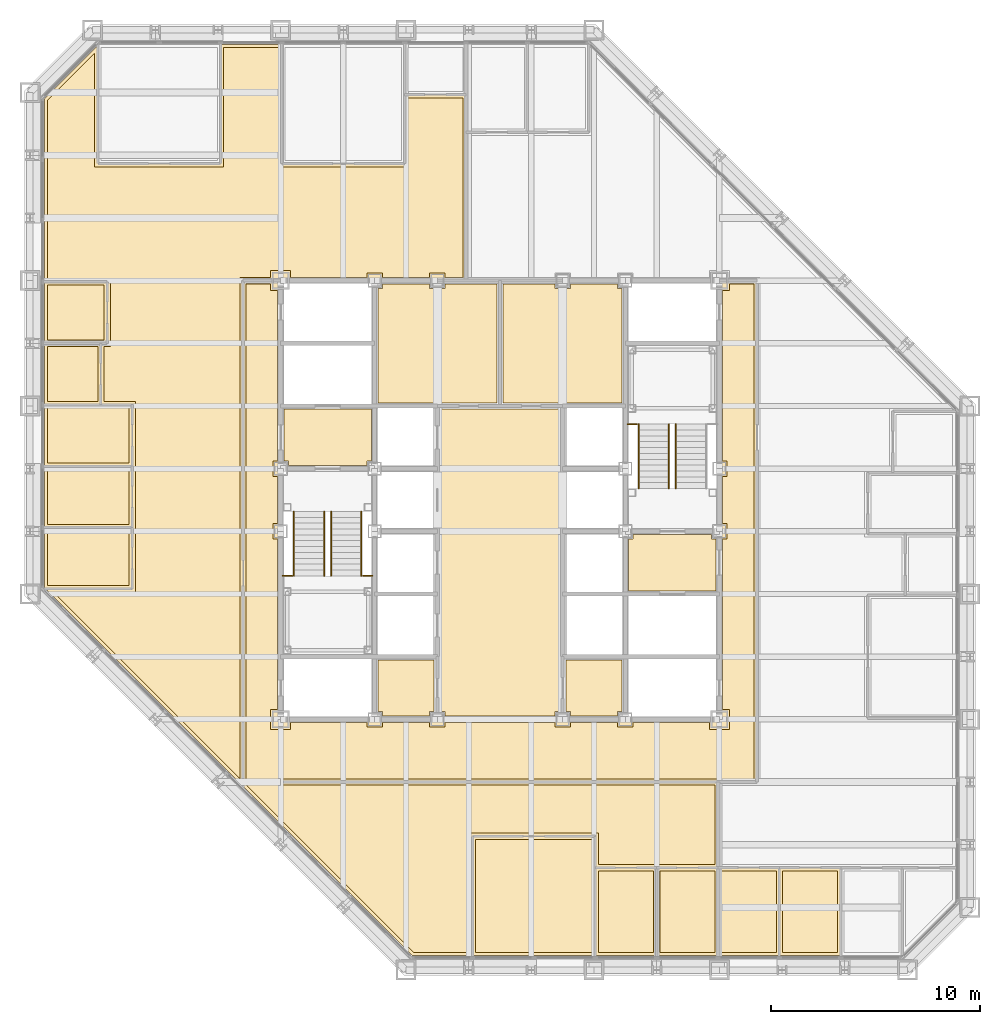
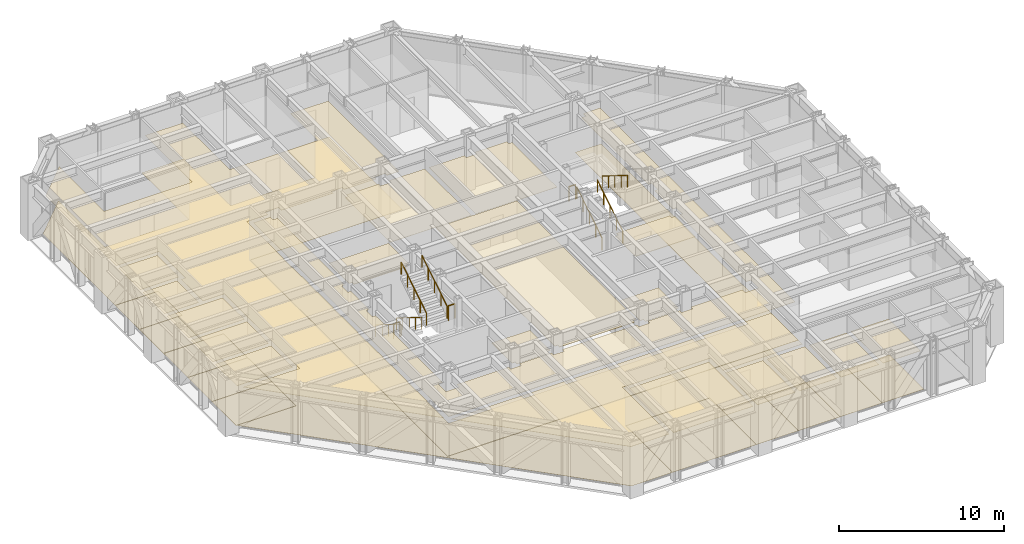
# One storey, part 14 of 16: 32 coverings, 10 railings.
"""IFC4 building model written with IfcOpenShell, lengths in metres."""

from ifc_helpers import new_model, si_unit, direction, frame, origin, origin_2d, place, context, subcontext, project, spatial, polyline, circle, outline, extrude, material, layer, layer_set, type_object, element, save


model = new_model("IFC4")

# Units and contexts
model_context = context("Model", 3, precision=1e-05, world=origin(), true_north=direction((0.0, 1.0)))
body_context = subcontext(model_context, "Body", "Model", "MODEL_VIEW")
ifc_project = project(units=[si_unit("LENGTHUNIT", "METRE"), si_unit("AREAUNIT", "SQUARE_METRE"), si_unit("VOLUMEUNIT", "CUBIC_METRE"), si_unit("PLANEANGLEUNIT", "RADIAN"), si_unit("MASSUNIT", "GRAM", prefix="KILO")], contexts=[model_context])

# Site, building, storey
site_placement = place(None, origin())
site = spatial("IfcSite", under=ifc_project, at=site_placement, CompositionType="ELEMENT")
building_placement = place(site_placement, origin())
building = spatial("IfcBuilding", under=site, at=building_placement, Name="Chuquiago Exchange Tower", CompositionType="ELEMENT")
storey_placement = place(building_placement, frame((0.0, 0.0, 157.199951171875)))
storey = spatial("IfcBuildingStorey", under=building, at=storey_placement, Name="L34", CompositionType="ELEMENT", Elevation=157.199951171875)

# Coverings
ifc_material_1 = material(Name="Mineral fibre tile, 600 x 600, on pale metal grid", Category="mineral fibre")
ifc_layer_1 = layer(ifc_material_1, 0.02001953125)
ifc_layer_set_1 = layer_set([ifc_layer_1], Name="CL1 suspended tile ceiling 20")
covering_type_1 = type_object("IfcCoveringType", Name="CL1 suspended tile ceiling 20", PredefinedType="CEILING", material=ifc_layer_set_1)
covering_1_placement = place(storey_placement, frame((0.0, 0.0, 2.800048828125)))
element("IfcCovering", 1, at=covering_1_placement, inside=storey, type_object=covering_type_1, Name="Ceiling Investor relations office", PredefinedType="CEILING", context=body_context, shape_type="SweptSolid", body=[
    extrude(outline(polyline([(21.33642578125, 6.25), (26.912109375, 6.25), (26.912109375, 0.85009765625), (21.33642578125, 0.85009765625), (21.33642578125, 6.25)])), origin(), (0.0, 0.0, 1.0), 0.02001953125),
])
covering_2_placement = place(storey_placement, frame((0.0, 0.0, 2.800048828125)))
element("IfcCovering", 2, at=covering_2_placement, inside=storey, type_object=covering_type_1, Name="Ceiling Office", PredefinedType="CEILING", context=body_context, shape_type="SweptSolid", body=[
    extrude(outline(polyline([(27.212158203125, 4.75), (29.85009765625, 4.75), (29.85009765625, 0.85009765625), (27.212158203125, 0.85009765625), (27.212158203125, 4.75)])), origin(), (0.0, 0.0, 1.0), 0.02001953125),
])
covering_3_placement = place(storey_placement, frame((0.0, 0.0, 2.800048828125)))
element("IfcCovering", 3, at=covering_3_placement, inside=storey, type_object=covering_type_1, Name="Ceiling Office", PredefinedType="CEILING", context=body_context, shape_type="SweptSolid", body=[
    extrude(outline(polyline([(30.14990234375, 4.75), (32.787841796875, 4.75), (32.787841796875, 0.85009765625), (30.14990234375, 0.85009765625), (30.14990234375, 4.75)])), origin(), (0.0, 0.0, 1.0), 0.02001953125),
])
covering_4_placement = place(storey_placement, frame((0.0, 0.0, 2.800048828125)))
element("IfcCovering", 4, at=covering_4_placement, inside=storey, type_object=covering_type_1, Name="Ceiling Office", PredefinedType="CEILING", context=body_context, shape_type="SweptSolid", body=[
    extrude(outline(polyline([(33.087890625, 4.75), (35.7255859375, 4.75), (35.7255859375, 0.85009765625), (33.087890625, 0.85009765625), (33.087890625, 4.75)])), origin(), (0.0, 0.0, 1.0), 0.02001953125),
])
covering_5_placement = place(storey_placement, frame((0.0, 0.0, 2.800048828125)))
element("IfcCovering", 5, at=covering_5_placement, inside=storey, type_object=covering_type_1, Name="Ceiling Office", PredefinedType="CEILING", context=body_context, shape_type="SweptSolid", body=[
    extrude(outline(polyline([(36.025634765625, 4.75), (38.66357421875, 4.75), (38.66357421875, 0.85009765625), (36.025634765625, 0.85009765625), (36.025634765625, 4.75)])), origin(), (0.0, 0.0, 1.0), 0.02001953125),
])
covering_6_placement = place(storey_placement, frame((0.0, 0.0, 2.800048828125)))
element("IfcCovering", 6, at=covering_6_placement, inside=storey, type_object=covering_type_1, Name="Ceiling Office", PredefinedType="CEILING", context=body_context, shape_type="SweptSolid", body=[
    extrude(outline(polyline([(0.85009765625, 21.036376953125), (4.75, 21.036376953125), (4.75, 18.3984375), (0.85009765625, 18.3984375), (0.85009765625, 21.036376953125)])), origin(), (0.0, 0.0, 1.0), 0.02001953125),
])
covering_7_placement = place(storey_placement, frame((0.0, 0.0, 2.800048828125)))
element("IfcCovering", 7, at=covering_7_placement, inside=storey, type_object=covering_type_1, Name="Ceiling Office", PredefinedType="CEILING", context=body_context, shape_type="SweptSolid", body=[
    extrude(outline(polyline([(4.75, 23.974365234375), (4.75, 21.33642578125), (0.85009765625, 21.33642578125), (0.85009765625, 23.974365234375), (4.75, 23.974365234375)])), origin(), (0.0, 0.0, 1.0), 0.02001953125),
])
covering_8_placement = place(storey_placement, frame((0.0, 0.0, 2.800048828125)))
element("IfcCovering", 8, at=covering_8_placement, inside=storey, type_object=covering_type_1, Name="Ceiling Office", PredefinedType="CEILING", context=body_context, shape_type="SweptSolid", body=[
    extrude(outline(polyline([(4.75, 26.912109375), (4.75, 24.2744140625), (0.85009765625, 24.2744140625), (0.85009765625, 26.912109375), (4.75, 26.912109375)])), origin(), (0.0, 0.0, 1.0), 0.02001953125),
])
covering_9_placement = place(storey_placement, frame((0.0, 0.0, 2.800048828125)))
element("IfcCovering", 9, at=covering_9_placement, inside=storey, type_object=covering_type_1, Name="Ceiling Store", PredefinedType="CEILING", context=body_context, shape_type="SweptSolid", body=[
    extrude(outline(polyline([(3.25, 29.85009765625), (3.25, 27.212158203125), (0.85009765625, 27.212158203125), (0.85009765625, 29.85009765625), (3.25, 29.85009765625)])), origin(), (0.0, 0.0, 1.0), 0.02001953125),
])
covering_10_placement = place(storey_placement, frame((0.0, 0.0, 2.800048828125)))
element("IfcCovering", 10, at=covering_10_placement, inside=storey, type_object=covering_type_1, Name="Ceiling Pantry", PredefinedType="CEILING", context=body_context, shape_type="SweptSolid", body=[
    extrude(outline(polyline([(3.550048828125, 32.787841796875), (3.550048828125, 30.14990234375), (0.85009765625, 30.14990234375), (0.85009765625, 32.787841796875), (3.550048828125, 32.787841796875)])), origin(), (0.0, 0.0, 1.0), 0.02001953125),
])
covering_11_placement = place(storey_placement, frame((0.0, 0.0, 2.800048828125)))
element("IfcCovering", 11, at=covering_11_placement, inside=storey, type_object=covering_type_1, Name="Ceiling Open office west suite", PredefinedType="CEILING", context=body_context, shape_type="SweptSolid", body=[
    extrude(outline(polyline([(3.098388671875, 38.449951171875), (9.2744140625, 38.449951171875), (9.2744140625, 44.14990234375), (11.912109375, 44.14990234375), (11.912109375, 38.449951171875), (18.087890625, 38.449951171875), (18.087890625, 41.75), (20.72509765625, 41.75), (20.72509765625, 33.14990234375), (19.875, 33.14990234375), (19.875, 33.375), (19.125, 33.375), (19.125, 33.14990234375), (16.875, 33.14990234375), (16.875, 33.375), (16.125, 33.375), (16.125, 33.14990234375), (12.47509765625, 33.150146484375), (12.47509765625, 33.47509765625), (11.52490234375, 33.47509765625), (11.52490234375, 33.150146484375), (10.049560546875, 33.150146484375), (10.049560546875, 9.15234375), (1.103515625, 18.098388671875), (5.050048828125, 18.098388671875), (5.050048828125, 27.212158203125), (3.550048828125, 27.212158203125), (3.550048828125, 29.85009765625), (3.85009765625, 29.85009765625), (3.85009765625, 33.087890625), (0.85009765625, 33.087890625), (0.85009765625, 41.64794921875), (3.098388671875, 43.896484375), (3.098388671875, 38.449951171875)])), origin(), (0.0, 0.0, 1.0), 0.02001953125),
])
covering_12_placement = place(storey_placement, frame((0.0, 0.0, 2.800048828125)))
element("IfcCovering", 12, at=covering_12_placement, inside=storey, type_object=covering_type_1, Name="Ceiling Open office west suite", PredefinedType="CEILING", context=body_context, shape_type="SweptSolid", body=[
    extrude(outline(polyline([(32.787353515625, 8.849609375), (32.787353515625, 5.050048828125), (27.212158203125, 5.050048828125), (27.212158203125, 6.550048828125), (21.036376953125, 6.550048828125), (21.036376953125, 0.85009765625), (18.35205078125, 0.85009765625), (10.352294921875, 8.849609375), (32.787353515625, 8.849609375)])), origin(), (0.0, 0.0, 1.0), 0.02001953125),
])
covering_13_placement = place(storey_placement, frame((0.0, 0.0, 2.800048828125)))
element("IfcCovering", 13, at=covering_13_placement, inside=storey, type_object=covering_type_1, Name="Ceiling Tenant corridor", PredefinedType="CEILING", context=body_context, shape_type="SweptSolid", body=[
    extrude(outline(polyline([(16.125, 11.85009765625), (16.125, 11.625), (16.875, 11.625), (16.875, 11.85009765625), (19.125, 11.85009765625), (19.125, 11.625), (19.875, 11.625), (19.875, 11.85009765625), (25.125, 11.85009765625), (25.125, 11.625), (25.875, 11.625), (25.875, 11.85009765625), (28.125, 11.85009765625), (28.125, 11.625), (28.875, 11.625), (28.875, 11.85009765625), (32.52490234375, 11.85009765625), (32.52490234375, 11.52490234375), (33.47509765625, 11.52490234375), (33.47509765625, 12.47509765625), (33.14990234375, 12.47509765625), (33.14990234375, 20.625), (33.375, 20.625), (33.375, 21.375), (33.14990234375, 21.375), (33.14990234375, 23.625), (33.375, 23.625), (33.375, 24.375), (33.14990234375, 24.375), (33.14990234375, 32.52490234375), (33.47509765625, 32.52490234375), (33.47509765625, 32.85009765625), (34.64990234375, 32.85009765625), (34.64990234375, 9.14990234375), (10.35009765625, 9.14990234375), (10.35009765625, 32.85009765625), (11.52490234375, 32.85009765625), (11.52490234375, 32.52490234375), (11.85009765625, 32.52490234375), (11.85009765625, 24.375), (11.625, 24.375), (11.625, 23.625), (11.85009765625, 23.625), (11.85009765625, 21.375), (11.625, 21.375), (11.625, 20.625), (11.85009765625, 20.625), (11.85009765625, 12.47509765625), (11.52490234375, 12.47509765625), (11.52490234375, 11.52490234375), (12.47509765625, 11.52490234375), (12.47509765625, 11.85009765625), (16.125, 11.85009765625)])), origin(), (0.0, 0.0, 1.0), 0.02001953125),
])
ifc_material_2 = material(Name="Moisture resistant plasterboard on metal frame", Category="gypsum")
ifc_layer_2 = layer(ifc_material_2, 0.014892578125)
ifc_layer_set_2 = layer_set([ifc_layer_2], Name="CL2 moisture resistant ceiling 15")
covering_type_2 = type_object("IfcCoveringType", Name="CL2 moisture resistant ceiling 15", PredefinedType="CEILING", material=ifc_layer_set_2)
covering_14_placement = place(storey_placement, frame((0.0, 0.0, 2.60009765625)))
element("IfcCovering", 14, at=covering_14_placement, inside=storey, type_object=covering_type_2, Name="Ceiling Male WC", PredefinedType="CEILING", context=body_context, shape_type="SweptSolid", body=[
    extrude(outline(polyline([(16.64990234375, 27.14990234375), (16.64990234375, 32.625), (16.875, 32.625), (16.875, 32.85009765625), (19.125, 32.85009765625), (19.125, 32.625), (19.875, 32.625), (19.875, 32.85009765625), (22.35009765625, 32.85009765625), (22.35009765625, 27.14990234375), (16.64990234375, 27.14990234375)])), origin(), (0.0, 0.0, 1.0), 0.014892578125),
])
covering_15_placement = place(storey_placement, frame((0.0, 0.0, 2.60009765625)))
element("IfcCovering", 15, at=covering_15_placement, inside=storey, type_object=covering_type_2, Name="Ceiling Female WC", PredefinedType="CEILING", context=body_context, shape_type="SweptSolid", body=[
    extrude(outline(polyline([(22.64990234375, 27.14990234375), (22.64990234375, 32.85009765625), (25.125, 32.85009765625), (25.125, 32.625), (25.875, 32.625), (25.875, 32.85009765625), (28.125, 32.85009765625), (28.125, 32.625), (28.35009765625, 32.625), (28.35009765625, 27.14990234375), (22.64990234375, 27.14990234375)])), origin(), (0.0, 0.0, 1.0), 0.014892578125),
])
covering_16_placement = place(storey_placement, frame((0.0, 0.0, 2.60009765625)))
element("IfcCovering", 16, at=covering_16_placement, inside=storey, type_object=covering_type_2, Name="Ceiling Accessible WC", PredefinedType="CEILING", context=body_context, shape_type="SweptSolid", body=[
    extrude(outline(polyline([(25.875, 12.14990234375), (25.875, 12.375), (25.64990234375, 12.375), (25.64990234375, 14.85009765625), (28.35009765625, 14.85009765625), (28.35009765625, 12.375), (28.125, 12.375), (28.125, 12.14990234375), (25.875, 12.14990234375)])), origin(), (0.0, 0.0, 1.0), 0.014892578125),
])
covering_17_placement = place(storey_placement, frame((0.0, 0.0, 2.60009765625)))
element("IfcCovering", 17, at=covering_17_placement, inside=storey, type_object=covering_type_2, Name="Ceiling Cleaner", PredefinedType="CEILING", context=body_context, shape_type="SweptSolid", body=[
    extrude(outline(polyline([(16.875, 12.14990234375), (16.875, 12.375), (16.64990234375, 12.375), (16.64990234375, 14.85009765625), (19.35009765625, 14.85009765625), (19.35009765625, 12.375), (19.125, 12.375), (19.125, 12.14990234375), (16.875, 12.14990234375)])), origin(), (0.0, 0.0, 1.0), 0.014892578125),
])
ifc_material_3 = material(Name="Pale metal plank ceiling, perforated", Category="aluminium")
ifc_layer_3 = layer(ifc_material_3, 0.030029296875)
ifc_layer_set_3 = layer_set([ifc_layer_3], Name="CL3 metal plank ceiling 30")
covering_type_3 = type_object("IfcCoveringType", Name="CL3 metal plank ceiling 30", PredefinedType="CEILING", material=ifc_layer_set_3)
covering_18_placement = place(storey_placement, frame((0.0, 0.0, 2.800048828125)))
element("IfcCovering", 18, at=covering_18_placement, inside=storey, type_object=covering_type_3, Name="Ceiling Lift lobby", PredefinedType="CEILING", context=body_context, shape_type="SweptSolid", body=[
    extrude(outline(polyline([(19.875, 12.14990234375), (19.875, 12.375), (19.64990234375, 12.375), (19.64990234375, 26.85009765625), (25.35009765625, 26.85009765625), (25.35009765625, 12.375), (25.125, 12.375), (25.125, 12.14990234375), (19.875, 12.14990234375)])), origin(), (0.0, 0.0, 1.0), 0.030029296875),
])
covering_19_placement = place(storey_placement, frame((0.0, 0.0, 2.800048828125)))
element("IfcCovering", 19, at=covering_19_placement, inside=storey, type_object=covering_type_3, Name="Ceiling Firefighting lobby", PredefinedType="CEILING", context=body_context, shape_type="SweptSolid", body=[
    extrude(outline(polyline([(12.375, 24.14990234375), (12.375, 24.375), (12.14990234375, 24.375), (12.14990234375, 26.85009765625), (16.35009765625, 26.85009765625), (16.35009765625, 24.375), (16.125, 24.375), (16.125, 24.14990234375), (12.375, 24.14990234375)])), origin(), (0.0, 0.0, 1.0), 0.030029296875),
])
covering_20_placement = place(storey_placement, frame((0.0, 0.0, 2.800048828125)))
element("IfcCovering", 20, at=covering_20_placement, inside=storey, type_object=covering_type_3, Name="Ceiling Firefighting lobby", PredefinedType="CEILING", context=body_context, shape_type="SweptSolid", body=[
    extrude(outline(polyline([(28.64990234375, 18.14990234375), (28.64990234375, 20.625), (28.875, 20.625), (28.875, 20.85009765625), (32.625, 20.85009765625), (32.625, 20.625), (32.85009765625, 20.625), (32.85009765625, 18.14990234375), (28.64990234375, 18.14990234375)])), origin(), (0.0, 0.0, 1.0), 0.030029296875),
])
ifc_material_4 = material(Name="Carpet tile, 500 x 500, on the floor slab", Category="textile")
ifc_layer_4 = layer(ifc_material_4, 0.010009765625)
ifc_layer_set_4 = layer_set([ifc_layer_4], Name="FL1 carpet tile 10")
covering_type_4 = type_object("IfcCoveringType", Name="FL1 carpet tile 10", PredefinedType="FLOORING", material=ifc_layer_set_4)
covering_21_placement = place(storey_placement, origin())
element("IfcCovering", 21, at=covering_21_placement, inside=storey, type_object=covering_type_4, Name="Floor finish Investor relations office", PredefinedType="FLOORING", context=body_context, shape_type="SweptSolid", body=[
    extrude(outline(polyline([(21.186279296875, 0.699951171875), (21.186279296875, 6.39990234375), (27.06201171875, 6.39990234375), (27.06201171875, 0.699951171875), (21.186279296875, 0.699951171875)])), origin(), (0.0, 0.0, 1.0), 0.010009765625),
])
covering_22_placement = place(storey_placement, origin())
element("IfcCovering", 22, at=covering_22_placement, inside=storey, type_object=covering_type_4, Name="Floor finish Office", PredefinedType="FLOORING", context=body_context, shape_type="SweptSolid", body=[
    extrude(outline(polyline([(27.06201171875, 0.699951171875), (27.06201171875, 4.89990234375), (30.0, 4.89990234375), (30.0, 0.699951171875), (27.06201171875, 0.699951171875)])), origin(), (0.0, 0.0, 1.0), 0.010009765625),
])
covering_23_placement = place(storey_placement, origin())
element("IfcCovering", 23, at=covering_23_placement, inside=storey, type_object=covering_type_4, Name="Floor finish Office", PredefinedType="FLOORING", context=body_context, shape_type="SweptSolid", body=[
    extrude(outline(polyline([(30.0, 0.699951171875), (30.0, 4.89990234375), (32.93798828125, 4.89990234375), (32.93798828125, 0.699951171875), (30.0, 0.699951171875)])), origin(), (0.0, 0.0, 1.0), 0.010009765625),
])
covering_24_placement = place(storey_placement, origin())
element("IfcCovering", 24, at=covering_24_placement, inside=storey, type_object=covering_type_4, Name="Floor finish Office", PredefinedType="FLOORING", context=body_context, shape_type="SweptSolid", body=[
    extrude(outline(polyline([(32.93798828125, 0.699951171875), (32.93798828125, 4.89990234375), (35.875732421875, 4.89990234375), (35.875732421875, 0.699951171875), (32.93798828125, 0.699951171875)])), origin(), (0.0, 0.0, 1.0), 0.010009765625),
])
covering_25_placement = place(storey_placement, origin())
element("IfcCovering", 25, at=covering_25_placement, inside=storey, type_object=covering_type_4, Name="Floor finish Office", PredefinedType="FLOORING", context=body_context, shape_type="SweptSolid", body=[
    extrude(outline(polyline([(35.875732421875, 0.699951171875), (35.875732421875, 4.89990234375), (38.813720703125, 4.89990234375), (38.813720703125, 0.699951171875), (35.875732421875, 0.699951171875)])), origin(), (0.0, 0.0, 1.0), 0.010009765625),
])
covering_26_placement = place(storey_placement, origin())
element("IfcCovering", 26, at=covering_26_placement, inside=storey, type_object=covering_type_4, Name="Floor finish Office", PredefinedType="FLOORING", context=body_context, shape_type="SweptSolid", body=[
    extrude(outline(polyline([(0.699951171875, 21.186279296875), (4.89990234375, 21.186279296875), (4.89990234375, 18.24853515625), (0.741455078125, 18.24853515625), (0.699951171875, 18.289794921875), (0.699951171875, 21.186279296875)])), origin(), (0.0, 0.0, 1.0), 0.010009765625),
])
covering_27_placement = place(storey_placement, origin())
element("IfcCovering", 27, at=covering_27_placement, inside=storey, type_object=covering_type_4, Name="Floor finish Office", PredefinedType="FLOORING", context=body_context, shape_type="SweptSolid", body=[
    extrude(outline(polyline([(0.699951171875, 24.124267578125), (4.89990234375, 24.124267578125), (4.89990234375, 21.186279296875), (0.699951171875, 21.186279296875), (0.699951171875, 24.124267578125)])), origin(), (0.0, 0.0, 1.0), 0.010009765625),
])
covering_28_placement = place(storey_placement, origin())
element("IfcCovering", 28, at=covering_28_placement, inside=storey, type_object=covering_type_4, Name="Floor finish Office", PredefinedType="FLOORING", context=body_context, shape_type="SweptSolid", body=[
    extrude(outline(polyline([(0.699951171875, 27.06201171875), (4.89990234375, 27.06201171875), (4.89990234375, 24.124267578125), (0.699951171875, 24.124267578125), (0.699951171875, 27.06201171875)])), origin(), (0.0, 0.0, 1.0), 0.010009765625),
])
covering_29_placement = place(storey_placement, origin())
element("IfcCovering", 29, at=covering_29_placement, inside=storey, type_object=covering_type_4, Name="Floor finish Open office west suite", PredefinedType="FLOORING", context=body_context, shape_type="SweptSolid", body=[
    extrude(outline(polyline([(3.24853515625, 44.258544921875), (3.24853515625, 38.60009765625), (9.124267578125, 38.60009765625), (9.124267578125, 44.300048828125), (12.06201171875, 44.300048828125), (12.06201171875, 38.60009765625), (17.93798828125, 38.60009765625), (17.93798828125, 41.89990234375), (20.875244140625, 41.89990234375), (20.875244140625, 33.0), (10.199462890625, 33.0), (10.19970703125, 8.999755859375), (32.9375, 8.99951171875), (32.9375, 4.89990234375), (27.06201171875, 4.89990234375), (27.06201171875, 6.39990234375), (21.186279296875, 6.39990234375), (21.186279296875, 0.699951171875), (18.289794921875, 0.699951171875), (0.741455078125, 18.24853515625), (4.89990234375, 18.24853515625), (4.89990234375, 27.06201171875), (3.39990234375, 27.06201171875), (3.39990234375, 30.0), (3.699951171875, 30.0), (3.699951171875, 32.93798828125), (0.699951171875, 32.93798828125), (0.699951171875, 41.710205078125), (3.289794921875, 44.300048828125), (3.24853515625, 44.258544921875)])), origin(), (0.0, 0.0, 1.0), 0.010009765625),
])
ifc_material_5 = material(Name="Porcelain floor tile, 600 x 600, on adhesive bed", Category="ceramic")
ifc_layer_5 = layer(ifc_material_5, 0.014892578125)
ifc_layer_set_5 = layer_set([ifc_layer_5], Name="FL2 porcelain tile 15")
covering_type_5 = type_object("IfcCoveringType", Name="FL2 porcelain tile 15", PredefinedType="FLOORING", material=ifc_layer_set_5)
covering_30_placement = place(storey_placement, origin())
element("IfcCovering", 30, at=covering_30_placement, inside=storey, type_object=covering_type_5, Name="Floor finish Store", PredefinedType="FLOORING", context=body_context, shape_type="SweptSolid", body=[
    extrude(outline(polyline([(0.699951171875, 30.0), (3.39990234375, 30.0), (3.39990234375, 27.06201171875), (0.699951171875, 27.06201171875), (0.699951171875, 30.0)])), origin(), (0.0, 0.0, 1.0), 0.01513671875),
])
covering_31_placement = place(storey_placement, origin())
element("IfcCovering", 31, at=covering_31_placement, inside=storey, type_object=covering_type_5, Name="Floor finish Pantry", PredefinedType="FLOORING", context=body_context, shape_type="SweptSolid", body=[
    extrude(outline(polyline([(0.699951171875, 32.93798828125), (3.699951171875, 32.93798828125), (3.699951171875, 30.0), (0.699951171875, 30.0), (0.699951171875, 32.93798828125)])), origin(), (0.0, 0.0, 1.0), 0.01513671875),
])
covering_32_placement = place(storey_placement, origin())
element("IfcCovering", 32, at=covering_32_placement, inside=storey, type_object=covering_type_5, Name="Floor finish Tenant corridor", PredefinedType="FLOORING", context=body_context, shape_type="SweptSolid", body=[
    extrude(outline(polyline([(12.0, 12.0), (33.0, 12.0), (33.0, 33.0), (34.800048828125, 33.0), (34.800048828125, 9.0), (10.199951171875, 9.0), (10.199951171875, 33.0), (12.0, 33.0), (12.0, 12.0)])), origin(), (0.0, 0.0, 1.0), 0.01513671875),
])

# Railings
ifc_material_6 = material(Name="Pale metal guard with safety glass infill", Category="glass")
railing_type_1 = type_object("IfcRailingType", Name="GR1 guard 1100", PredefinedType="GUARDRAIL", material=ifc_material_6)
for number, where, name in (
    (33, (12.10009765625, 18.8701171875, 2.10009765625), "Guard ST1 L34 landing 2"),
    (34, (15.945068359375, 18.8701171875, 2.10009765625), "Guard ST1 L34 landing 2"),
    (35, (28.60009765625, 26.1298828125, 2.10009765625), "Guard ST2 L34 landing 2"),
):
    element("IfcRailing", number, at=place(storey_placement, frame(where)), inside=storey, type_object=railing_type_1, Name=name, PredefinedType="GUARDRAIL", context=body_context, shape_type="SweptSolid", body=[
        extrude(circle(Radius=0.02392578125, at=origin_2d()), frame((0.0, 0.0, 1.076171875), z_axis=(1.0, 0.0, 0.0), x_axis=(0.0, 1.0, 0.0)), (0.0, 0.0, 1.0), 0.454833984375),
        extrude(circle(Radius=0.02099609375, at=origin_2d()), origin(), (0.0, 0.0, 1.0), 1.052001953125),
        extrude(circle(Radius=0.02099609375, at=origin_2d()), frame((0.454833984375, 0.0, 0.0)), (0.0, 0.0, 1.0), 1.052001953125),
    ])
ifc_material_7 = material(Name="Pale metal handrail", Category="steel")
railing_type_2 = type_object("IfcRailingType", Name="HR1 handrail 900", PredefinedType="HANDRAIL", material=ifc_material_7)
for number, where, name in (
    (36, (12.635009765625, 21.949951171875, 0.175048828125), "Handrail ST1 L34 flight 1"),
    (37, (14.0849609375, 21.949951171875, 0.175048828125), "Handrail ST1 L34 flight 1"),
):
    element("IfcRailing", number, at=place(storey_placement, frame(where)), inside=storey, type_object=railing_type_2, Name=name, PredefinedType="HANDRAIL", context=body_context, shape_type="SweptSolid", body=[
        extrude(circle(Radius=0.02392578125, at=origin_2d()), frame((0.0, 0.0, 0.8759765625), z_axis=(0.0, -0.847979421464, 0.530029150871), x_axis=(1.0, 0.0, 0.0)), (0.0, 0.0, 1.0), 3.632080078125),
        extrude(circle(Radius=0.02099609375, at=origin_2d()), origin(), (0.0, 0.0, 1.0), 0.851806640625),
        extrude(circle(Radius=0.02099609375, at=origin_2d()), frame((0.0, -0.77001953125, 0.481201171875)), (0.0, 0.0, 1.0), 0.851806640625),
        extrude(circle(Radius=0.02099609375, at=origin_2d()), frame((0.0, -1.5400390625, 0.96240234375)), (0.0, 0.0, 1.0), 0.851806640625),
        extrude(circle(Radius=0.02099609375, at=origin_2d()), frame((0.0, -2.309814453125, 1.44384765625)), (0.0, 0.0, 1.0), 0.851806640625),
        extrude(circle(Radius=0.02099609375, at=origin_2d()), frame((0.0, -3.079833984375, 1.925048828125)), (0.0, 0.0, 1.0), 0.851806640625),
    ])
for number, where, name in (
    (38, (15.864990234375, 18.8701171875, 2.275146484375), "Handrail ST1 L34 flight 2"),
    (39, (14.4150390625, 18.8701171875, 2.275146484375), "Handrail ST1 L34 flight 2"),
):
    element("IfcRailing", number, at=place(storey_placement, frame(where)), inside=storey, type_object=railing_type_2, Name=name, PredefinedType="HANDRAIL", context=body_context, shape_type="SweptSolid", body=[
        extrude(circle(Radius=0.02392578125, at=origin_2d()), frame((0.0, 0.0, 0.8759765625), z_axis=(0.0, 0.848009633417, 0.529980812513), x_axis=(-1.0, 0.0, 0.0)), (0.0, 0.0, 1.0), 3.6318359375),
        extrude(circle(Radius=0.02099609375, at=origin_2d()), origin(), (0.0, 0.0, 1.0), 0.851806640625),
        extrude(circle(Radius=0.02099609375, at=origin_2d()), frame((0.0, 0.77001953125, 0.481201171875)), (0.0, 0.0, 1.0), 0.851806640625),
        extrude(circle(Radius=0.02099609375, at=origin_2d()), frame((0.0, 1.5400390625, 0.96240234375)), (0.0, 0.0, 1.0), 0.851806640625),
        extrude(circle(Radius=0.02099609375, at=origin_2d()), frame((0.0, 2.309814453125, 1.443603515625)), (0.0, 0.0, 1.0), 0.851806640625),
        extrude(circle(Radius=0.02099609375, at=origin_2d()), frame((0.0, 3.079833984375, 1.9248046875)), (0.0, 0.0, 1.0), 0.851806640625),
    ])
for number, where, name in (
    (40, (30.5849609375, 23.050048828125, 0.175048828125), "Handrail ST2 L34 flight 1"),
    (41, (29.135009765625, 23.050048828125, 0.175048828125), "Handrail ST2 L34 flight 1"),
):
    element("IfcRailing", number, at=place(storey_placement, frame(where)), inside=storey, type_object=railing_type_2, Name=name, PredefinedType="HANDRAIL", context=body_context, shape_type="SweptSolid", body=[
        extrude(circle(Radius=0.02392578125, at=origin_2d()), frame((0.0, 0.0, 0.8759765625), z_axis=(0.0, 0.847979421464, 0.530029150871), x_axis=(-1.0, 0.0, 0.0)), (0.0, 0.0, 1.0), 3.632080078125),
        extrude(circle(Radius=0.02099609375, at=origin_2d()), origin(), (0.0, 0.0, 1.0), 0.851806640625),
        extrude(circle(Radius=0.02099609375, at=origin_2d()), frame((0.0, 0.77001953125, 0.481201171875)), (0.0, 0.0, 1.0), 0.851806640625),
        extrude(circle(Radius=0.02099609375, at=origin_2d()), frame((0.0, 1.5400390625, 0.96240234375)), (0.0, 0.0, 1.0), 0.851806640625),
        extrude(circle(Radius=0.02099609375, at=origin_2d()), frame((0.0, 2.309814453125, 1.44384765625)), (0.0, 0.0, 1.0), 0.851806640625),
        extrude(circle(Radius=0.02099609375, at=origin_2d()), frame((0.0, 3.079833984375, 1.925048828125)), (0.0, 0.0, 1.0), 0.851806640625),
    ])
railing_placement = place(storey_placement, frame((30.9150390625, 26.1298828125, 2.275146484375)))
element("IfcRailing", 42, at=railing_placement, inside=storey, type_object=railing_type_2, Name="Handrail ST2 L34 flight 2", PredefinedType="HANDRAIL", context=body_context, shape_type="SweptSolid", body=[
    extrude(circle(Radius=0.02392578125, at=origin_2d()), frame((0.0, 0.0, 0.8759765625), z_axis=(0.0, -0.848009633417, 0.529980812513), x_axis=(1.0, 0.0, 0.0)), (0.0, 0.0, 1.0), 3.6318359375),
    extrude(circle(Radius=0.02099609375, at=origin_2d()), origin(), (0.0, 0.0, 1.0), 0.851806640625),
    extrude(circle(Radius=0.02099609375, at=origin_2d()), frame((0.0, -0.77001953125, 0.481201171875)), (0.0, 0.0, 1.0), 0.851806640625),
    extrude(circle(Radius=0.02099609375, at=origin_2d()), frame((0.0, -1.5400390625, 0.96240234375)), (0.0, 0.0, 1.0), 0.851806640625),
    extrude(circle(Radius=0.02099609375, at=origin_2d()), frame((0.0, -2.309814453125, 1.443603515625)), (0.0, 0.0, 1.0), 0.851806640625),
    extrude(circle(Radius=0.02099609375, at=origin_2d()), frame((0.0, -3.079833984375, 1.9248046875)), (0.0, 0.0, 1.0), 0.851806640625),
])

save(model, "model.ifc")
